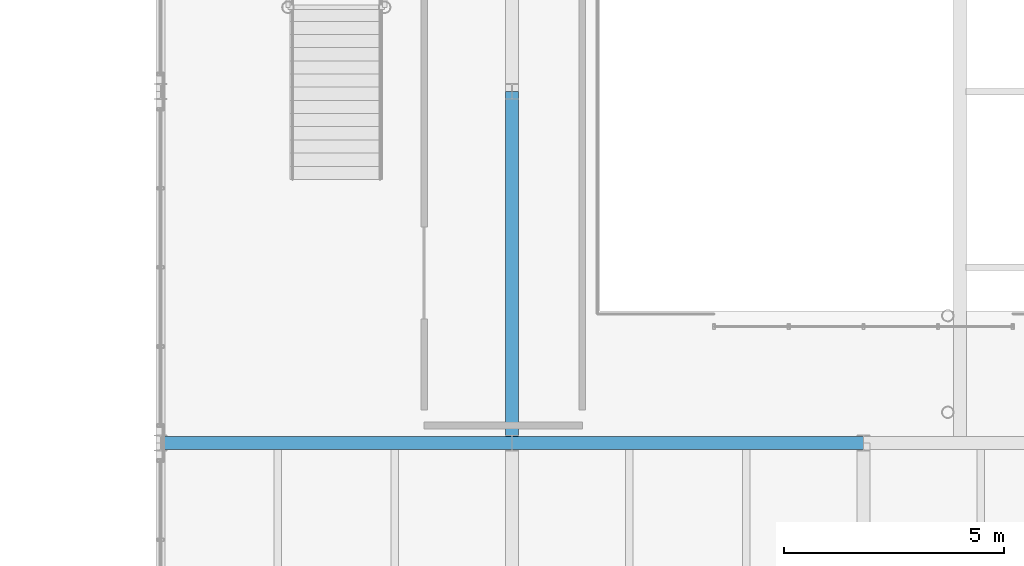
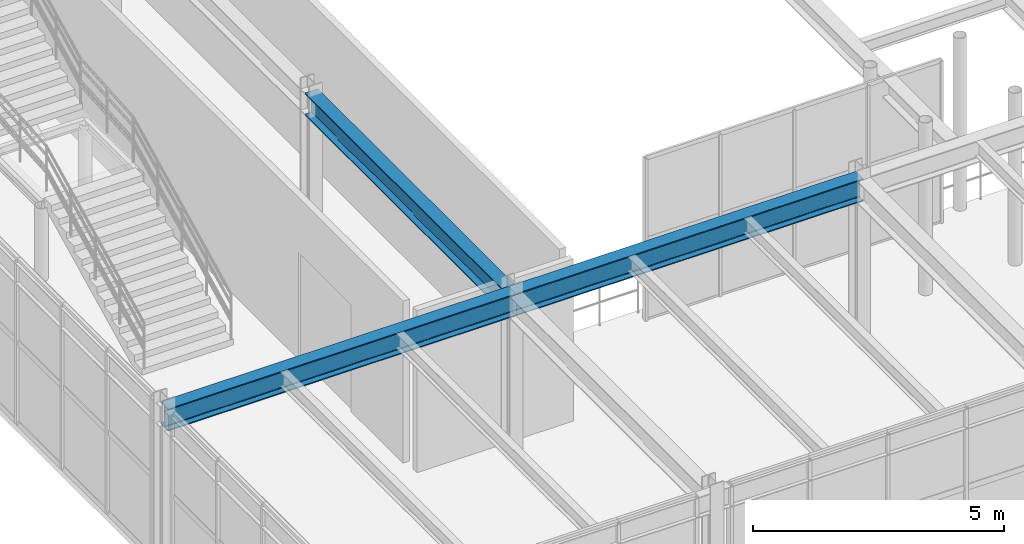
# One storey, part 22 of 122: 3 beams.
"""IFC4 building model written with IfcOpenShell, lengths in metres."""

from ifc_helpers import new_model, si_unit, direction, frame, origin, origin_2d, place, context, subcontext, project, spatial, i_section, extrude, material, material_profile, profile_set, type_object, element, save


model = new_model("IFC4")

# Units and contexts
model_context = context("Model", 3, precision=1e-05, world=origin(), true_north=direction((0.0, 1.0)))
body_context = subcontext(model_context, "Body", "Model", "MODEL_VIEW")
ifc_project = project(units=[si_unit("LENGTHUNIT", "METRE"), si_unit("AREAUNIT", "SQUARE_METRE"), si_unit("VOLUMEUNIT", "CUBIC_METRE"), si_unit("PLANEANGLEUNIT", "RADIAN"), si_unit("MASSUNIT", "GRAM", prefix="KILO")], contexts=[model_context])

# Site, building, storey
site_placement = place(None, origin())
site = spatial("IfcSite", under=ifc_project, at=site_placement, CompositionType="ELEMENT")
building_placement = place(site_placement, origin())
building = spatial("IfcBuilding", under=site, at=building_placement, Name="Sundkrona Museum", CompositionType="ELEMENT")
storey_placement = place(building_placement, frame((0.0, 0.0, 5.39990234375)))
storey = spatial("IfcBuildingStorey", under=building, at=storey_placement, Name="L01", CompositionType="ELEMENT", Elevation=5.39990234375)

# Beams
ifc_material = material(Name="Steel S355J2", Category="steel")
ifc_material_profile = material_profile(ifc_material, i_section(OverallWidth=0.300048828125, OverallDepth=0.5400390625, WebThickness=0.012451171875, FlangeThickness=0.02392578125, FilletRadius=0.027099609375, at=origin_2d()), Name="HEA 550")
ifc_profile_set = profile_set([ifc_material_profile], Name="Steel S355J2")
beam_type = type_object("IfcBeamType", Name="B-HEA550", PredefinedType="BEAM", material=ifc_profile_set)
for number, where, z_axis, x_axis, name in (
    (1, (80.0, 8.0, 3.670166015625), (1.0, 0.0, 0.0), (0.0, 1.0, 0.0), "L01 Girder X-0816"),
    (2, (88.0, 8.0, 3.670166015625), (1.0, 0.0, 0.0), (0.0, 1.0, 0.0), "L01 Girder X-0817"),
    (3, (88.0, 8.0, 3.670166015625), (0.0, 1.0, 0.0), (-1.0, 0.0, 0.0), "L01 Girder Y-1020"),
):
    element("IfcBeam", number, at=place(storey_placement, frame(where, z_axis=z_axis, x_axis=x_axis)), inside=storey, type_object=beam_type, Name=name, PredefinedType="BEAM", context=body_context, shape_type="SweptSolid", body=[
        extrude(i_section(OverallWidth=0.300048828125, OverallDepth=0.5400390625, WebThickness=0.012451171875, FlangeThickness=0.02392578125, FilletRadius=0.027099609375, at=origin_2d()), origin(), (0.0, 0.0, 1.0), 8.0),
    ])

save(model, "model.ifc")
